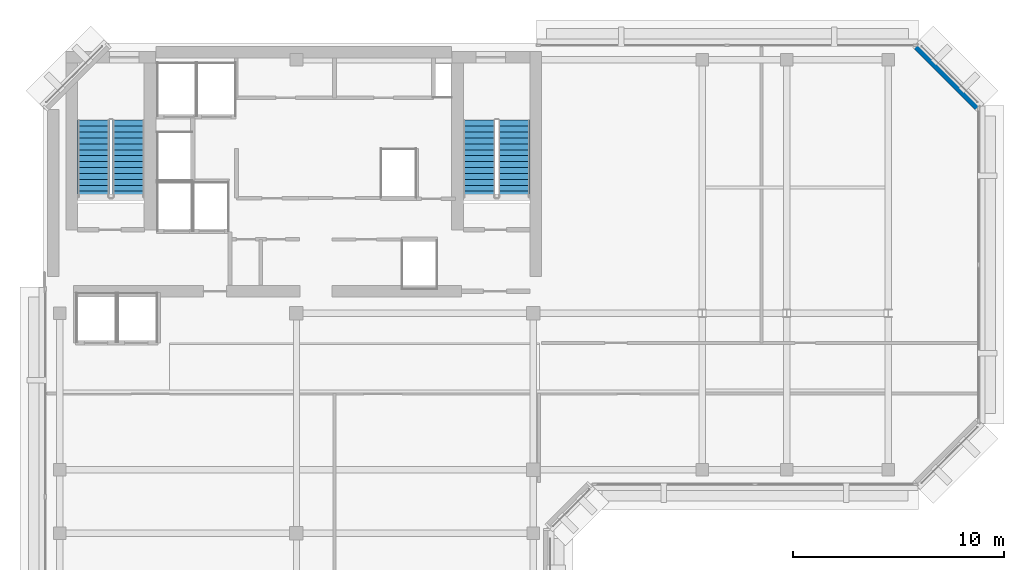
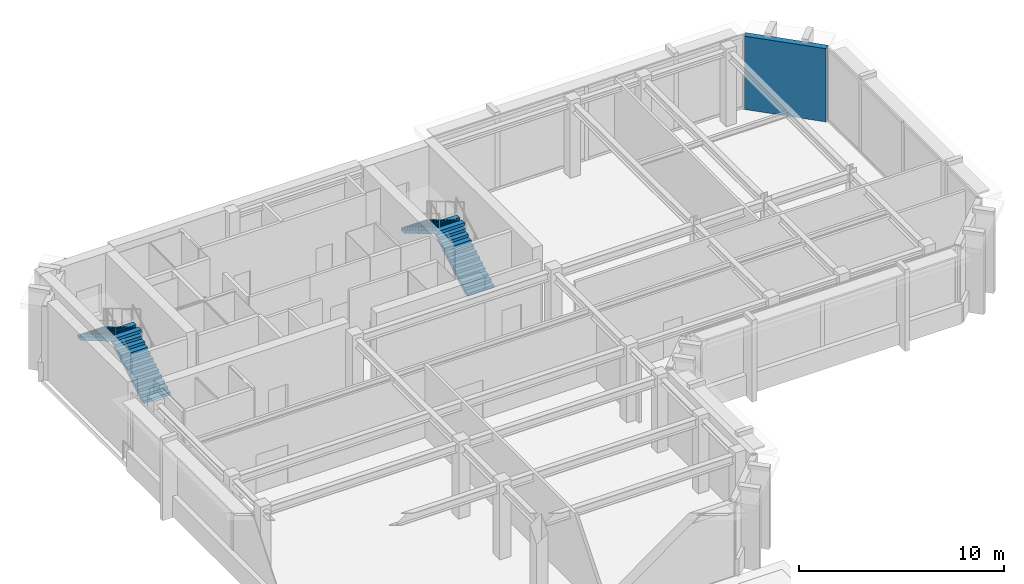
# One storey, part 6 of 11: 4 stair flights, 1 wall, 2 elements without a shape of their own.
"""IFC4 building model written with IfcOpenShell, lengths in metres."""

from ifc_helpers import new_model, si_unit, direction, frame, frame_2d, origin, place, context, subcontext, project, spatial, polyline, rectangle, outline, extrude, material, layer, layer_set, type_object, element, aggregate, save


model = new_model("IFC4")

# Units and contexts
model_context = context("Model", 3, precision=1e-05, world=origin(), true_north=direction((0.0, 1.0)))
body_context = subcontext(model_context, "Body", "Model", "MODEL_VIEW")
ifc_project = project(units=[si_unit("LENGTHUNIT", "METRE"), si_unit("AREAUNIT", "SQUARE_METRE"), si_unit("VOLUMEUNIT", "CUBIC_METRE"), si_unit("PLANEANGLEUNIT", "RADIAN"), si_unit("MASSUNIT", "GRAM", prefix="KILO")], contexts=[model_context])

# Site, building, storey
site_placement = place(None, origin())
site = spatial("IfcSite", under=ifc_project, at=site_placement, CompositionType="ELEMENT")
building_placement = place(site_placement, origin())
building = spatial("IfcBuilding", under=site, at=building_placement, Name="Kefirva Bronze Tower", CompositionType="ELEMENT")
storey_placement = place(building_placement, frame((0.0, 0.0, 347.489990234375)))
storey = spatial("IfcBuildingStorey", under=building, at=storey_placement, Name="L85", CompositionType="ELEMENT", Elevation=347.489990234375)

# Wall
ifc_material_1 = material(Name="Precast concrete C40/50", Category="concrete")
ifc_layer = layer(ifc_material_1, 0.320068359375, Name="Precast concrete C40/50")
ifc_layer_set = layer_set([ifc_layer], Name="Precast concrete C40/50")
wall_type = type_object("IfcWallType", Name="Precast Insulated Exterior Wall 320mm", PredefinedType="SOLIDWALL", material=ifc_layer_set)
wall_placement = place(storey_placement, frame((44.248046875, 42.92578125, 0.0), z_axis=(0.0, 0.0, 1.0), x_axis=(-0.707136318428, 0.707077242712, 0.0)))
element("IfcWall", 1, at=wall_placement, inside=storey, type_object=wall_type, Name="L85 Exterior Facade Wall 6", PredefinedType="SOLIDWALL", context=body_context, shape_type="SweptSolid", body=[
    extrude(rectangle(XDim=4.132568359375, YDim=0.320068359375, at=frame_2d((2.06640625, 0.0))), origin(), (0.0, 0.0, 1.0), 4.3701171875),
])

# Stair, stair flights
ifc_material_2 = material(Name="Concrete C40/50", Category="concrete")
stair_type = type_object("IfcStairType", Name="RC Dogleg Protected Stair 28R", PredefinedType="HALF_TURN_STAIR", material=ifc_material_2)
stair_1_placement = place(storey_placement, origin())
stair_1 = element("IfcStair", 2, at=stair_1_placement, inside=storey, type_object=stair_type, Name="L85 Protected Exit Stair 1", PredefinedType="HALF_TURN_STAIR")
stair_flight_type = type_object("IfcStairFlightType", Name="RC Straight Stair Flight 28R", PredefinedType="STRAIGHT", material=ifc_material_2)
stair_flight_1_placement = place(storey_placement, frame((4.050048828125, 38.699951171875, 0.0), z_axis=(0.0, 0.0, 1.0), x_axis=(0.0, 1.0, 0.0)))
stair_flight_1 = element("IfcStairFlight", 3, at=stair_flight_1_placement, type_object=stair_flight_type, Name="ST-1 flight 1", NumberOfRisers=14, NumberOfTreads=13, PredefinedType="STRAIGHT", RiserHeight=0.165, TreadLength=0.28, context=body_context, shape_type="SweptSolid", body=[
    extrude(outline(polyline([(0.0, 0.0), (0.0, 0.1650390625), (0.280029296875, 0.1650390625), (0.280029296875, 0.330078125), (0.56005859375, 0.330078125), (0.56005859375, 0.4951171875), (0.840087890625, 0.4951171875), (0.840087890625, 0.659912109375), (1.1201171875, 0.659912109375), (1.1201171875, 0.824951171875), (1.39990234375, 0.824951171875), (1.39990234375, 0.989990234375), (1.679931640625, 0.989990234375), (1.679931640625, 1.155029296875), (1.9599609375, 1.155029296875), (1.9599609375, 1.320068359375), (2.239990234375, 1.320068359375), (2.239990234375, 1.485107421875), (2.52001953125, 1.485107421875), (2.52001953125, 1.64990234375), (2.800048828125, 1.64990234375), (2.800048828125, 1.81494140625), (3.080078125, 1.81494140625), (3.080078125, 1.97998046875), (3.360107421875, 1.97998046875), (3.360107421875, 2.14501953125), (3.639892578125, 2.14501953125), (3.639892578125, 2.31005859375), (3.639892578125, 1.970947265625), (0.295166015625, 0.0), (0.0, 0.0)])), frame((0.0, 0.75, 0.0), z_axis=(0.0, -1.0, 0.0), x_axis=(1.0, 0.0, 0.0)), (0.0, 0.0, 1.0), 1.5),
])
stair_flight_2_placement = place(storey_placement, frame((2.39990234375, 42.340087890625, 2.31005859375), z_axis=(0.0, 0.0, 1.0), x_axis=(0.0, -1.0, 0.0)))
stair_flight_2 = element("IfcStairFlight", 4, at=stair_flight_2_placement, type_object=stair_flight_type, Name="ST-1 flight 2", NumberOfRisers=14, NumberOfTreads=13, PredefinedType="STRAIGHT", RiserHeight=0.165, TreadLength=0.28, context=body_context, shape_type="SweptSolid", body=[
    extrude(outline(polyline([(0.0, 0.0), (0.0, 0.1650390625), (0.280029296875, 0.1650390625), (0.280029296875, 0.330078125), (0.56005859375, 0.330078125), (0.56005859375, 0.4951171875), (0.840087890625, 0.4951171875), (0.840087890625, 0.659912109375), (1.1201171875, 0.659912109375), (1.1201171875, 0.824951171875), (1.39990234375, 0.824951171875), (1.39990234375, 0.989990234375), (1.679931640625, 0.989990234375), (1.679931640625, 1.155029296875), (1.9599609375, 1.155029296875), (1.9599609375, 1.320068359375), (2.239990234375, 1.320068359375), (2.239990234375, 1.485107421875), (2.52001953125, 1.485107421875), (2.52001953125, 1.64990234375), (2.800048828125, 1.64990234375), (2.800048828125, 1.81494140625), (3.080078125, 1.81494140625), (3.080078125, 1.97998046875), (3.360107421875, 1.97998046875), (3.360107421875, 2.14501953125), (3.639892578125, 2.14501953125), (3.639892578125, 2.31005859375), (3.639892578125, 1.970947265625), (0.295166015625, 0.0), (0.0, 0.0)])), frame((0.0, 0.75, 0.0), z_axis=(0.0, -1.0, 0.0), x_axis=(1.0, 0.0, 0.0)), (0.0, 0.0, 1.0), 1.5),
])
aggregate(stair_1, [stair_flight_1, stair_flight_2])

stair_2_placement = place(storey_placement, origin())
stair_2 = element("IfcStair", 5, at=stair_2_placement, inside=storey, type_object=stair_type, Name="L85 Protected Exit Stair 2", PredefinedType="HALF_TURN_STAIR")
stair_flight_3_placement = place(storey_placement, frame((22.300048828125, 38.699951171875, 0.0), z_axis=(0.0, 0.0, 1.0), x_axis=(0.0, 1.0, 0.0)))
stair_flight_3 = element("IfcStairFlight", 6, at=stair_flight_3_placement, type_object=stair_flight_type, Name="ST-2 flight 1", NumberOfRisers=14, NumberOfTreads=13, PredefinedType="STRAIGHT", RiserHeight=0.165, TreadLength=0.28, context=body_context, shape_type="SweptSolid", body=[
    extrude(outline(polyline([(0.0, 0.0), (0.0, 0.1650390625), (0.280029296875, 0.1650390625), (0.280029296875, 0.330078125), (0.56005859375, 0.330078125), (0.56005859375, 0.4951171875), (0.840087890625, 0.4951171875), (0.840087890625, 0.659912109375), (1.1201171875, 0.659912109375), (1.1201171875, 0.824951171875), (1.39990234375, 0.824951171875), (1.39990234375, 0.989990234375), (1.679931640625, 0.989990234375), (1.679931640625, 1.155029296875), (1.9599609375, 1.155029296875), (1.9599609375, 1.320068359375), (2.239990234375, 1.320068359375), (2.239990234375, 1.485107421875), (2.52001953125, 1.485107421875), (2.52001953125, 1.64990234375), (2.800048828125, 1.64990234375), (2.800048828125, 1.81494140625), (3.080078125, 1.81494140625), (3.080078125, 1.97998046875), (3.360107421875, 1.97998046875), (3.360107421875, 2.14501953125), (3.639892578125, 2.14501953125), (3.639892578125, 2.31005859375), (3.639892578125, 1.970947265625), (0.295166015625, 0.0), (0.0, 0.0)])), frame((0.0, 0.75, 0.0), z_axis=(0.0, -1.0, 0.0), x_axis=(1.0, 0.0, 0.0)), (0.0, 0.0, 1.0), 1.5),
])
stair_flight_4_placement = place(storey_placement, frame((20.64990234375, 42.340087890625, 2.31005859375), z_axis=(0.0, 0.0, 1.0), x_axis=(0.0, -1.0, 0.0)))
stair_flight_4 = element("IfcStairFlight", 7, at=stair_flight_4_placement, type_object=stair_flight_type, Name="ST-2 flight 2", NumberOfRisers=14, NumberOfTreads=13, PredefinedType="STRAIGHT", RiserHeight=0.165, TreadLength=0.28, context=body_context, shape_type="SweptSolid", body=[
    extrude(outline(polyline([(0.0, 0.0), (0.0, 0.1650390625), (0.280029296875, 0.1650390625), (0.280029296875, 0.330078125), (0.56005859375, 0.330078125), (0.56005859375, 0.4951171875), (0.840087890625, 0.4951171875), (0.840087890625, 0.659912109375), (1.1201171875, 0.659912109375), (1.1201171875, 0.824951171875), (1.39990234375, 0.824951171875), (1.39990234375, 0.989990234375), (1.679931640625, 0.989990234375), (1.679931640625, 1.155029296875), (1.9599609375, 1.155029296875), (1.9599609375, 1.320068359375), (2.239990234375, 1.320068359375), (2.239990234375, 1.485107421875), (2.52001953125, 1.485107421875), (2.52001953125, 1.64990234375), (2.800048828125, 1.64990234375), (2.800048828125, 1.81494140625), (3.080078125, 1.81494140625), (3.080078125, 1.97998046875), (3.360107421875, 1.97998046875), (3.360107421875, 2.14501953125), (3.639892578125, 2.14501953125), (3.639892578125, 2.31005859375), (3.639892578125, 1.970947265625), (0.295166015625, 0.0), (0.0, 0.0)])), frame((0.0, 0.75, 0.0), z_axis=(0.0, -1.0, 0.0), x_axis=(1.0, 0.0, 0.0)), (0.0, 0.0, 1.0), 1.5),
])
aggregate(stair_2, [stair_flight_3, stair_flight_4])

save(model, "model.ifc")
